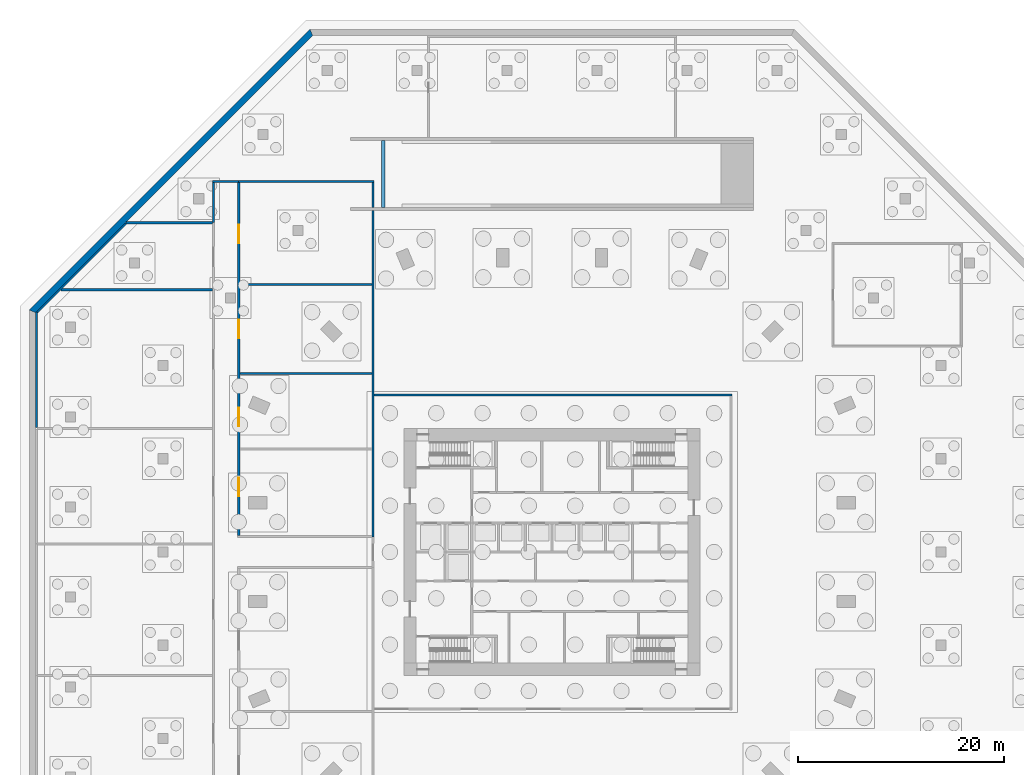
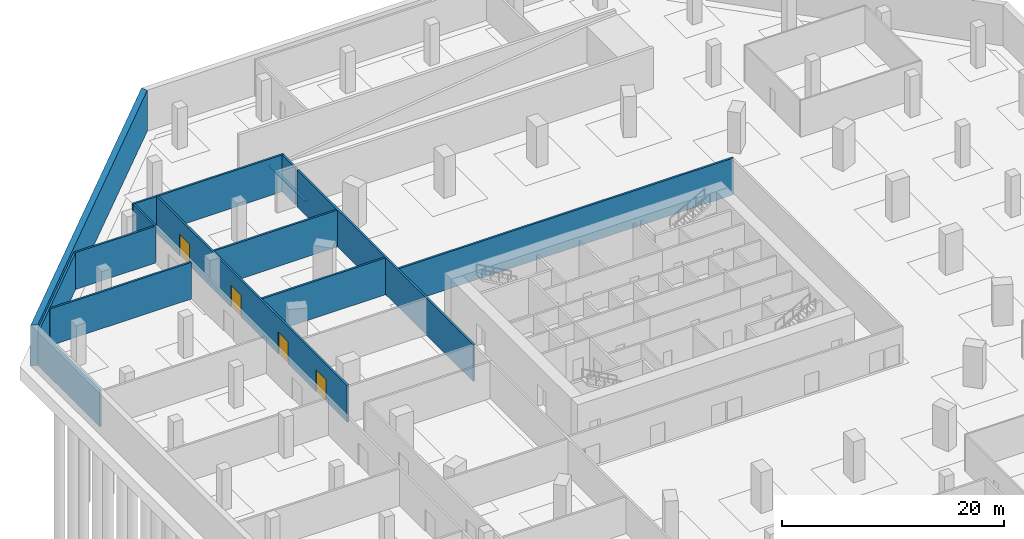
# One storey, part 10 of 14: 15 walls, 4 doors, 4 openings.
"""IFC4 building model written with IfcOpenShell, lengths in metres."""

from ifc_helpers import new_model, si_unit, direction, frame, frame_2d, origin, place, context, subcontext, project, spatial, polyline, rectangle, outline, extrude, material, layer, layer_set, type_object, element, fill, save


model = new_model("IFC4")

# Units and contexts
model_context = context("Model", 3, precision=1e-05, world=origin(), true_north=direction((0.0, 1.0)))
body_context = subcontext(model_context, "Body", "Model", "MODEL_VIEW")
ifc_project = project(units=[si_unit("LENGTHUNIT", "METRE"), si_unit("AREAUNIT", "SQUARE_METRE"), si_unit("VOLUMEUNIT", "CUBIC_METRE"), si_unit("PLANEANGLEUNIT", "RADIAN"), si_unit("MASSUNIT", "GRAM", prefix="KILO")], contexts=[model_context])

# Site, building, storey
site_placement = place(None, origin())
site = spatial("IfcSite", under=ifc_project, at=site_placement, CompositionType="ELEMENT")
building_placement = place(site_placement, origin())
building = spatial("IfcBuilding", under=site, at=building_placement, Name="Msitu Wima Residences", CompositionType="ELEMENT")
storey_placement = place(building_placement, frame((0.0, 0.0, -9.0)))
storey = spatial("IfcBuildingStorey", under=building, at=storey_placement, Name="B2", CompositionType="ELEMENT", Elevation=-9.0)

# Walls
ifc_material_1 = material(Name="Plaster")
ifc_layer_1 = layer(ifc_material_1, 0.011962890625, Name="Plaster")
ifc_material_2 = material(Name="Concrete blockwork", Category="masonry")
ifc_layer_2 = layer(ifc_material_2, 0.176025390625, Name="Concrete blockwork")
ifc_layer_3 = layer(ifc_material_1, 0.011962890625, Name="Plaster")
ifc_layer_set_1 = layer_set([ifc_layer_1, ifc_layer_2, ifc_layer_3], Name="Concrete blockwork")
wall_type_1 = type_object("IfcWallType", Name="Corridor wall FW200", PredefinedType="PARTITIONING", material=ifc_layer_set_1)
wall_1_placement = place(storey_placement, frame((-32.89990234375, 32.02001953125, 0.0), z_axis=(0.0, 0.0, 1.0), x_axis=(0.0, 1.0, 0.0)))
element("IfcWall", 1, at=wall_1_placement, inside=storey, type_object=wall_type_1, Name="Corridor wall", PredefinedType="PARTITIONING", context=body_context, shape_type="SweptSolid", body=[
    extrude(rectangle(XDim=3.8798828125, YDim=0.199951171875, at=frame_2d((1.93994140625, 0.0))), origin(), (0.0, 0.0, 1.0), 4.048095703125),
])
wall_2_placement = place(storey_placement, frame((-33.0, 36.0, 0.0), z_axis=(0.0, 0.0, 1.0), x_axis=(1.0, 0.0, 0.0)))
element("IfcWall", 2, at=wall_2_placement, inside=storey, type_object=wall_type_1, Name="Corridor wall", PredefinedType="PARTITIONING", context=body_context, shape_type="SweptSolid", body=[
    extrude(rectangle(XDim=2.537353515625, YDim=0.199951171875, at=frame_2d((1.2685546875, 0.0))), origin(), (0.0, 0.0, 1.0), 4.048095703125),
])
wall_3_placement = place(storey_placement, frame((-17.300048828125, 15.2568359375, 0.0), z_axis=(0.0, 0.0, 1.0), x_axis=(1.0, 0.0, 0.0)))
element("IfcWall", 3, at=wall_3_placement, inside=storey, type_object=wall_type_1, Name="Corridor wall", PredefinedType="PARTITIONING", context=body_context, shape_type="SweptSolid", body=[
    extrude(rectangle(XDim=34.800048828125, YDim=0.199951171875, at=frame_2d((17.39990234375, 0.0))), origin(), (0.0, 0.0, 1.0), 4.048095703125),
])
ifc_layer_4 = layer(ifc_material_1, 0.011962890625, Name="Plaster")
ifc_material_3 = material(Name="Reinforced concrete blockwork", Category="masonry")
ifc_layer_5 = layer(ifc_material_3, 0.176025390625, Name="Reinforced concrete blockwork")
ifc_layer_6 = layer(ifc_material_1, 0.011962890625, Name="Plaster")
ifc_layer_set_2 = layer_set([ifc_layer_4, ifc_layer_5, ifc_layer_6], Name="Reinforced concrete blockwork")
wall_type_2 = type_object("IfcWallType", Name="Plant and riser wall PL200", PredefinedType="PARTITIONING", material=ifc_layer_set_2)
wall_4_placement = place(storey_placement, frame((-50.10009765625, 12.1201171875, 0.0), z_axis=(0.0, 0.0, 1.0), x_axis=(0.0, 1.0, 0.0)))
element("IfcWall", 4, at=wall_4_placement, inside=storey, type_object=wall_type_2, Name="Plant and riser wall", PredefinedType="PARTITIONING", context=body_context, shape_type="SweptSolid", body=[
    extrude(rectangle(XDim=11.20263671875, YDim=0.199951171875, at=frame_2d((5.601318359375, 0.0))), origin(), (0.0, 0.0, 1.0), 4.048095703125),
])
wall_5_placement = place(storey_placement, frame((-50.029296875, 23.29345703125, 0.0), z_axis=(0.0, 0.0, 1.0), x_axis=(0.707106781187, 0.707106781187, 0.0)))
element("IfcWall", 5, at=wall_5_placement, inside=storey, type_object=wall_type_2, Name="Plant and riser wall", PredefinedType="PARTITIONING", context=body_context, shape_type="SweptSolid", body=[
    extrude(rectangle(XDim=12.212890625, YDim=0.199951171875, at=frame_2d((6.1064453125, 0.0))), origin(), (0.0, 0.0, 1.0), 4.048095703125),
])
wall_6_placement = place(storey_placement, frame((-47.737548828125, 25.4853515625, 0.0), z_axis=(0.0, 0.0, 1.0), x_axis=(1.0, 0.0, 0.0)))
element("IfcWall", 6, at=wall_6_placement, inside=storey, type_object=wall_type_2, Name="Plant and riser wall", PredefinedType="PARTITIONING", context=body_context, shape_type="SweptSolid", body=[
    extrude(rectangle(XDim=14.737548828125, YDim=0.199951171875, at=frame_2d((7.36865234375, 0.0))), origin(), (0.0, 0.0, 1.0), 4.048095703125),
])
wall_7_placement = place(storey_placement, frame((-41.4228515625, 32.0, 0.0), z_axis=(0.0, 0.0, 1.0), x_axis=(1.0, 0.0, 0.0)))
element("IfcWall", 7, at=wall_7_placement, inside=storey, type_object=wall_type_2, Name="Plant and riser wall", PredefinedType="PARTITIONING", context=body_context, shape_type="SweptSolid", body=[
    extrude(rectangle(XDim=8.4228515625, YDim=0.199951171875, at=frame_2d((4.21142578125, 0.0))), origin(), (0.0, 0.0, 1.0), 4.048095703125),
])
wall_8_placement = place(storey_placement, frame((-30.462646484375, 36.0, 0.0), z_axis=(0.0, 0.0, 1.0), x_axis=(1.0, 0.0, 0.0)))
element("IfcWall", 8, at=wall_8_placement, inside=storey, type_object=wall_type_2, Name="Plant and riser wall", PredefinedType="PARTITIONING", context=body_context, shape_type="SweptSolid", body=[
    extrude(rectangle(XDim=13.16259765625, YDim=0.199951171875, at=frame_2d((6.581298828125, 0.0))), origin(), (0.0, 0.0, 1.0), 4.048095703125),
])

# Wall, openings, doors
wall_9_placement = place(storey_placement, frame((-30.442626953125, 1.60009765625, 0.0), z_axis=(0.0, 0.0, 1.0), x_axis=(0.0, 1.0, 0.0)))
wall_9 = element("IfcWall", 9, at=wall_9_placement, inside=storey, type_object=wall_type_2, Name="Plant and riser wall", PredefinedType="PARTITIONING", context=body_context, shape_type="SweptSolid", body=[
    extrude(rectangle(XDim=34.2998046875, YDim=0.199951171875, at=frame_2d((17.14990234375, 0.0))), origin(), (0.0, 0.0, 1.0), 4.048095703125),
])
opening_1_placement = place(wall_9_placement, frame((3.800048828125, 0.0, 0.0)))
opening_1 = element("IfcOpeningElement", 10, at=opening_1_placement, cuts=wall_9, Name="Opening DB2.037", PredefinedType="OPENING", context=body_context, shape_type="SweptSolid", body=[
    extrude(rectangle(XDim=1.800048828125, YDim=2.39990234375, at=frame_2d((0.89990234375, 1.199951171875))), frame((0.0, 0.10986328125, 0.0), z_axis=(0.0, -1.0, 0.0), x_axis=(1.0, 0.0, 0.0)), (0.0, 0.0, 1.0), 0.219970703125),
])
opening_2_placement = place(wall_9_placement, frame((10.60009765625, 0.0, 0.0)))
opening_2 = element("IfcOpeningElement", 11, at=opening_2_placement, cuts=wall_9, Name="Opening DB2.038", PredefinedType="OPENING", context=body_context, shape_type="SweptSolid", body=[
    extrude(rectangle(XDim=1.800048828125, YDim=2.39990234375, at=frame_2d((0.89990234375, 1.199951171875))), frame((0.0, 0.10986328125, 0.0), z_axis=(0.0, -1.0, 0.0), x_axis=(1.0, 0.0, 0.0)), (0.0, 0.0, 1.0), 0.219970703125),
])
opening_3_placement = place(wall_9_placement, frame((19.14990234375, 0.0, 0.0)))
opening_3 = element("IfcOpeningElement", 12, at=opening_3_placement, cuts=wall_9, Name="Opening DB2.039", PredefinedType="OPENING", context=body_context, shape_type="SweptSolid", body=[
    extrude(rectangle(XDim=1.800048828125, YDim=2.39990234375, at=frame_2d((0.89990234375, 1.199951171875))), frame((0.0, 0.10986328125, 0.0), z_axis=(0.0, -1.0, 0.0), x_axis=(1.0, 0.0, 0.0)), (0.0, 0.0, 1.0), 0.219970703125),
])
opening_4_placement = place(wall_9_placement, frame((28.39990234375, 0.0, 0.0)))
opening_4 = element("IfcOpeningElement", 13, at=opening_4_placement, cuts=wall_9, Name="Opening DB2.040", PredefinedType="OPENING", context=body_context, shape_type="SweptSolid", body=[
    extrude(rectangle(XDim=1.800048828125, YDim=2.39990234375, at=frame_2d((0.89990234375, 1.199951171875))), frame((0.0, 0.10986328125, 0.0), z_axis=(0.0, -1.0, 0.0), x_axis=(1.0, 0.0, 0.0)), (0.0, 0.0, 1.0), 0.219970703125),
])
ifc_material_4 = material(Name="Steel door, fire resisting", Category="steel")
door_type = type_object("IfcDoorType", Name="Plant room door D09 1800x2400", OperationType="DOUBLE_DOOR_SINGLE_SWING", PredefinedType="DOOR", material=ifc_material_4)
door_1_placement = place(opening_1_placement, origin())
door_1 = element("IfcDoor", 14, at=door_1_placement, inside=storey, type_object=door_type, Name="Plant room door", OperationType="DOUBLE_DOOR_SINGLE_SWING", OverallHeight=2.39990234375, OverallWidth=1.800048828125, PredefinedType="DOOR", context=body_context, shape_type="SweptSolid", body=[
    extrude(rectangle(XDim=1.800048828125, YDim=2.39990234375, at=frame_2d((0.89990234375, 1.199951171875))), frame((0.0, 0.02490234375, 0.0), z_axis=(0.0, -1.0, 0.0), x_axis=(1.0, 0.0, 0.0)), (0.0, 0.0, 1.0), 0.050048828125),
])
fill(opening_1, door_1)
door_2_placement = place(opening_2_placement, origin())
door_2 = element("IfcDoor", 15, at=door_2_placement, inside=storey, type_object=door_type, Name="Plant room door", OperationType="DOUBLE_DOOR_SINGLE_SWING", OverallHeight=2.39990234375, OverallWidth=1.800048828125, PredefinedType="DOOR", context=body_context, shape_type="SweptSolid", body=[
    extrude(rectangle(XDim=1.800048828125, YDim=2.39990234375, at=frame_2d((0.89990234375, 1.199951171875))), frame((0.0, 0.02490234375, 0.0), z_axis=(0.0, -1.0, 0.0), x_axis=(1.0, 0.0, 0.0)), (0.0, 0.0, 1.0), 0.050048828125),
])
fill(opening_2, door_2)
door_3_placement = place(opening_3_placement, origin())
door_3 = element("IfcDoor", 16, at=door_3_placement, inside=storey, type_object=door_type, Name="Plant room door", OperationType="DOUBLE_DOOR_SINGLE_SWING", OverallHeight=2.39990234375, OverallWidth=1.800048828125, PredefinedType="DOOR", context=body_context, shape_type="SweptSolid", body=[
    extrude(rectangle(XDim=1.800048828125, YDim=2.39990234375, at=frame_2d((0.89990234375, 1.199951171875))), frame((0.0, 0.02490234375, 0.0), z_axis=(0.0, -1.0, 0.0), x_axis=(1.0, 0.0, 0.0)), (0.0, 0.0, 1.0), 0.050048828125),
])
fill(opening_3, door_3)
door_4_placement = place(opening_4_placement, origin())
door_4 = element("IfcDoor", 17, at=door_4_placement, inside=storey, type_object=door_type, Name="Plant room door", OperationType="DOUBLE_DOOR_SINGLE_SWING", OverallHeight=2.39990234375, OverallWidth=1.800048828125, PredefinedType="DOOR", context=body_context, shape_type="SweptSolid", body=[
    extrude(rectangle(XDim=1.800048828125, YDim=2.39990234375, at=frame_2d((0.89990234375, 1.199951171875))), frame((0.0, 0.02490234375, 0.0), z_axis=(0.0, -1.0, 0.0), x_axis=(1.0, 0.0, 0.0)), (0.0, 0.0, 1.0), 0.050048828125),
])
fill(opening_4, door_4)

# Walls
for number, where, z_axis, x_axis, name in (
    (18, (-30.342529296875, 17.327880859375, 0.0), (0.0, 0.0, 1.0), (1.0, 0.0, 0.0), "Plant and riser wall"),
    (19, (-30.342529296875, 26.0, 0.0), (0.0, 0.0, 1.0), (1.0, 0.0, 0.0), "Plant and riser wall"),
):
    element("IfcWall", number, at=place(storey_placement, frame(where, z_axis=z_axis, x_axis=x_axis)), inside=storey, type_object=wall_type_2, Name=name, PredefinedType="PARTITIONING", context=body_context, shape_type="SweptSolid", body=[
        extrude(rectangle(XDim=12.842529296875, YDim=0.199951171875, at=frame_2d((6.42138671875, 0.0))), origin(), (0.0, 0.0, 1.0), 4.048095703125),
    ])
wall_10_placement = place(storey_placement, frame((-17.39990234375, 1.47998046875, 0.0), z_axis=(0.0, 0.0, 1.0), x_axis=(0.0, 1.0, 0.0)))
element("IfcWall", 20, at=wall_10_placement, inside=storey, type_object=wall_type_2, Name="Plant and riser wall", PredefinedType="PARTITIONING", context=body_context, shape_type="SweptSolid", body=[
    extrude(rectangle(XDim=31.719970703125, YDim=0.199951171875, at=frame_2d((15.85986328125, 0.0))), origin(), (0.0, 0.0, 1.0), 4.048095703125),
])
wall_11_placement = place(storey_placement, frame((-17.39990234375, 33.5, 0.0), z_axis=(0.0, 0.0, 1.0), x_axis=(0.0, 1.0, 0.0)))
element("IfcWall", 21, at=wall_11_placement, inside=storey, type_object=wall_type_2, Name="Plant and riser wall", PredefinedType="PARTITIONING", context=body_context, shape_type="SweptSolid", body=[
    extrude(rectangle(XDim=2.39990234375, YDim=0.199951171875, at=frame_2d((1.199951171875, 0.0))), origin(), (0.0, 0.0, 1.0), 4.048095703125),
])
ifc_material_5 = material(Name="Concrete C60/75", Category="concrete")
ifc_layer_7 = layer(ifc_material_5, 0.300048828125)
ifc_layer_set_3 = layer_set([ifc_layer_7], Name="Concrete C60/75")
wall_type_3 = type_object("IfcWallType", Name="Ramp support wall RS300", PredefinedType="SOLIDWALL", material=ifc_layer_set_3)
wall_12_placement = place(storey_placement, frame((-16.39990234375, 33.5, 0.0), z_axis=(0.0, 0.0, 1.0), x_axis=(0.0, 1.0, 0.0)))
element("IfcWall", 22, at=wall_12_placement, inside=storey, type_object=wall_type_3, Name="Ramp support wall", PredefinedType="SOLIDWALL", context=body_context, shape_type="SweptSolid", body=[
    extrude(rectangle(XDim=6.5, YDim=0.300048828125, at=frame_2d((3.25, 0.0))), origin(), (0.0, 0.0, 1.0), 0.10009765625),
])
ifc_layer_8 = layer(ifc_material_5, 0.60009765625)
ifc_layer_set_4 = layer_set([ifc_layer_8], Name="Concrete C60/75")
wall_type_4 = type_object("IfcWallType", Name="Retaining wall RW600", PredefinedType="SOLIDWALL", material=ifc_layer_set_4)
wall_13_placement = place(storey_placement, origin())
element("IfcWall", 23, at=wall_13_placement, inside=storey, type_object=wall_type_4, Name="Basement retaining wall NW B2", PredefinedType="SOLIDWALL", context=body_context, shape_type="SweptSolid", body=[
    extrude(outline(polyline([(-23.5126953125, 50.800048828125), (-50.800048828125, 23.5126953125), (-50.199951171875, 23.26416015625), (-23.26416015625, 50.199951171875), (-23.5126953125, 50.800048828125)])), origin(), (0.0, 0.0, 1.0), 4.5),
])

save(model, "model.ifc")
